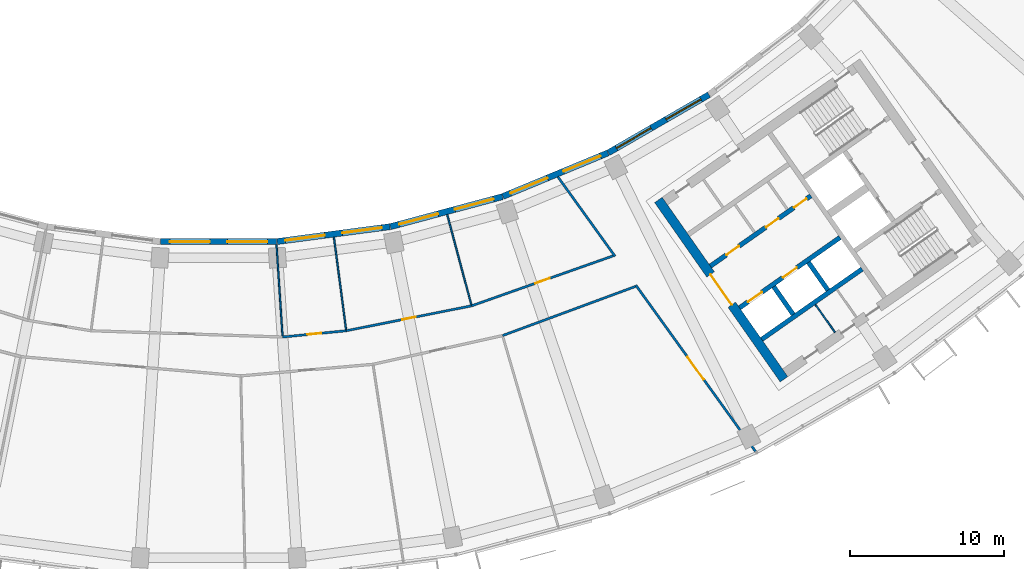
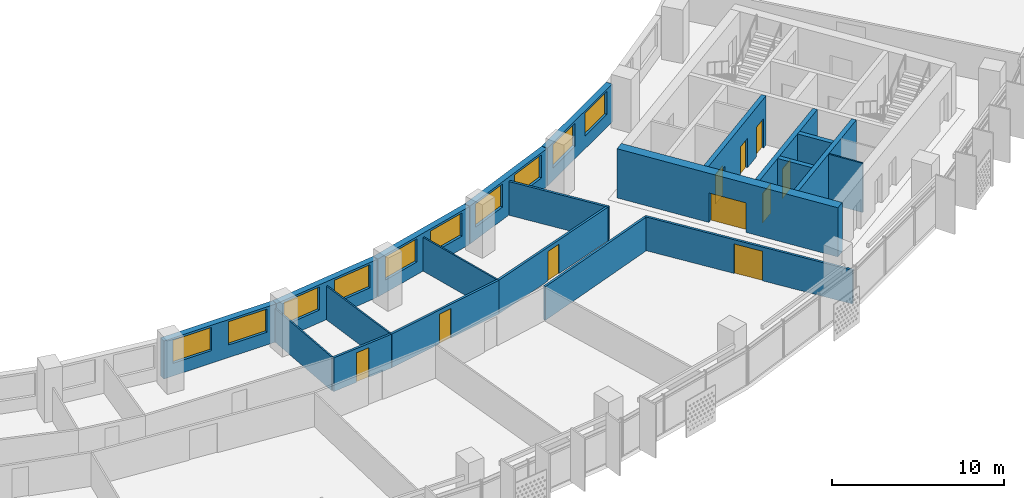
# One storey, part 6 of 27: 21 walls, 10 doors, 10 windows, 20 openings.
"""IFC4 building model written with IfcOpenShell, lengths in metres."""

from ifc_helpers import new_model, si_unit, direction, frame, frame_2d, origin, place, context, subcontext, project, spatial, rectangle, extrude, material, layer, layer_set, type_object, element, fill, save


model = new_model("IFC4")

# Units and contexts
model_context = context("Model", 3, precision=1e-05, world=origin(), true_north=direction((0.0, 1.0)))
body_context = subcontext(model_context, "Body", "Model", "MODEL_VIEW")
ifc_project = project(units=[si_unit("LENGTHUNIT", "METRE"), si_unit("AREAUNIT", "SQUARE_METRE"), si_unit("VOLUMEUNIT", "CUBIC_METRE"), si_unit("PLANEANGLEUNIT", "RADIAN"), si_unit("MASSUNIT", "GRAM", prefix="KILO")], contexts=[model_context])

# Site, building, storey
site_placement = place(None, origin())
site = spatial("IfcSite", under=ifc_project, at=site_placement, CompositionType="ELEMENT")
building_placement = place(site_placement, origin())
building = spatial("IfcBuilding", under=site, at=building_placement, Name="Qamariyya Broadcast Tower", CompositionType="ELEMENT")
storey_placement = place(building_placement, frame((0.0, 0.0, 191.10009765625)))
storey = spatial("IfcBuildingStorey", under=building, at=storey_placement, Name="L45", CompositionType="ELEMENT", Elevation=191.10009765625)

# Wall, opening, door
ifc_material_1 = material(Name="Concrete C60/75", Category="concrete")
ifc_layer_1 = layer(ifc_material_1, 0.60009765625)
ifc_layer_set_1 = layer_set([ifc_layer_1], Name="Core wall 600 mm Concrete C60/75")
wall_type_1 = type_object("IfcWallType", Name="Core wall 600 mm Concrete C60/75", PredefinedType="SHEAR", material=ifc_layer_set_1)
wall_1_placement = place(storey_placement, frame((36.66748046875, -66.005126953125, 0.0), z_axis=(0.0, 0.0, 1.0), x_axis=(-0.573568499524, 0.819157601658, 0.0)))
wall_1 = element("IfcWall", 1, at=wall_1_placement, inside=storey, type_object=wall_type_1, Name="k-E-L45-WA", PredefinedType="SHEAR", context=body_context, shape_type="SweptSolid", body=[
    extrude(rectangle(XDim=14.19970703125, YDim=0.60009765625, at=frame_2d((7.099853515625, 0.0))), origin(), (0.0, 0.0, 1.0), 3.5),
])
opening_1_placement = place(wall_1_placement, frame((5.89990234375, 0.0, 0.0)))
opening_1 = element("IfcOpeningElement", 2, at=opening_1_placement, cuts=wall_1, Name="Opening KD3-E1", PredefinedType="OPENING", context=body_context, shape_type="SweptSolid", body=[
    extrude(rectangle(XDim=2.39990234375, YDim=2.10009765625, at=frame_2d((1.199951171875, 1.050048828125))), frame((0.0, 0.31005859375, 0.0), z_axis=(0.0, -1.0, 0.0), x_axis=(1.0, 0.0, 0.0)), (0.0, 0.0, 1.0), 0.6201171875),
])
ifc_material_2 = material(Name="Steel fire-resisting door leaf", Category="steel")
door_type_1 = type_object("IfcDoorType", Name="Lift lobby door KD3", OperationType="DOUBLE_DOOR_SINGLE_SWING", PredefinedType="DOOR", material=ifc_material_2)
door_1_placement = place(opening_1_placement, origin())
door_1 = element("IfcDoor", 3, at=door_1_placement, inside=storey, type_object=door_type_1, Name="k-E-L45-WA-D1", OperationType="DOUBLE_DOOR_SINGLE_SWING", OverallHeight=2.10009765625, OverallWidth=2.39990234375, PredefinedType="DOOR", context=body_context, shape_type="SweptSolid", body=[
    extrude(rectangle(XDim=2.39990234375, YDim=2.10009765625, at=frame_2d((1.199951171875, 1.050048828125))), frame((0.0, 0.02490234375, 0.0), z_axis=(0.0, -1.0, 0.0), x_axis=(1.0, 0.0, 0.0)), (0.0, 0.0, 1.0), 0.050048828125),
])
fill(opening_1, door_1)

ifc_material_3 = material(Name="Gypsum board partition")
ifc_layer_2 = layer(ifc_material_3, 0.14990234375)
ifc_layer_set_2 = layer_set([ifc_layer_2], Name="Corridor partition 150 EI 60")
wall_type_2 = type_object("IfcWallType", Name="Corridor partition 150 EI 60", PredefinedType="PARTITIONING", material=ifc_layer_set_2)
wall_2_placement = place(storey_placement, frame((4.146484375, -63.26416015625, 0.0), z_axis=(0.0, 0.0, 1.0), x_axis=(0.995188667069, 0.097977124567, 0.0)))
wall_2 = element("IfcWall", 4, at=wall_2_placement, inside=storey, type_object=wall_type_2, Name="Partition L45-017", PredefinedType="PARTITIONING", context=body_context, shape_type="SweptSolid", body=[
    extrude(rectangle(XDim=4.14892578125, YDim=0.14990234375, at=frame_2d((2.074462890625, 0.0))), origin(), (0.0, 0.0, 1.0), 2.39990234375),
])
opening_2_placement = place(wall_2_placement, frame((1.62451171875, 0.0, 0.0)))
opening_2 = element("IfcOpeningElement", 5, at=opening_2_placement, cuts=wall_2, Name="Opening L45-D10", PredefinedType="OPENING", context=body_context, shape_type="SweptSolid", body=[
    extrude(rectangle(XDim=0.89990234375, YDim=2.10009765625, at=frame_2d((0.449951171875, 1.050048828125))), frame((0.0, 0.0849609375, 0.0), z_axis=(0.0, -1.0, 0.0), x_axis=(1.0, 0.0, 0.0)), (0.0, 0.0, 1.0), 0.169921875),
])
ifc_material_4 = material(Name="Timber fire door leaf", Category="wood")
door_type_2 = type_object("IfcDoorType", Name="Fire door 900 x 2100 FD60", OperationType="NOTDEFINED", PredefinedType="DOOR", material=ifc_material_4)
door_2_placement = place(opening_2_placement, origin())
door_2 = element("IfcDoor", 6, at=door_2_placement, inside=storey, type_object=door_type_2, Name="Door L45-D10", OperationType="SINGLE_SWING_RIGHT", OverallHeight=2.10009765625, OverallWidth=0.89990234375, PredefinedType="DOOR", context=body_context, shape_type="SweptSolid", body=[
    extrude(rectangle(XDim=0.89990234375, YDim=2.10009765625, at=frame_2d((0.449951171875, 1.050048828125))), frame((0.0, 0.02490234375, 0.0), z_axis=(0.0, -1.0, 0.0), x_axis=(1.0, 0.0, 0.0)), (0.0, 0.0, 1.0), 0.050048828125),
])
fill(opening_2, door_2)

wall_3_placement = place(storey_placement, frame((8.275390625, -62.857666015625, 0.0), z_axis=(0.0, 0.0, 1.0), x_axis=(0.98078508005, 0.195091329256, 0.0)))
wall_3 = element("IfcWall", 7, at=wall_3_placement, inside=storey, type_object=wall_type_2, Name="Partition L45-019", PredefinedType="PARTITIONING", context=body_context, shape_type="SweptSolid", body=[
    extrude(rectangle(XDim=8.293212890625, YDim=0.14990234375, at=frame_2d((4.146484375, 0.0))), origin(), (0.0, 0.0, 1.0), 2.39990234375),
])
opening_3_placement = place(wall_3_placement, frame((3.696533203125, 0.0, 0.0)))
opening_3 = element("IfcOpeningElement", 8, at=opening_3_placement, cuts=wall_3, Name="Opening L45-D11", PredefinedType="OPENING", context=body_context, shape_type="SweptSolid", body=[
    extrude(rectangle(XDim=0.89990234375, YDim=2.10009765625, at=frame_2d((0.449951171875, 1.050048828125))), frame((0.0, 0.0849609375, 0.0), z_axis=(0.0, -1.0, 0.0), x_axis=(1.0, 0.0, 0.0)), (0.0, 0.0, 1.0), 0.169921875),
])
door_3_placement = place(opening_3_placement, origin())
door_3 = element("IfcDoor", 9, at=door_3_placement, inside=storey, type_object=door_type_2, Name="Door L45-D11", OperationType="SINGLE_SWING_RIGHT", OverallHeight=2.10009765625, OverallWidth=0.89990234375, PredefinedType="DOOR", context=body_context, shape_type="SweptSolid", body=[
    extrude(rectangle(XDim=0.89990234375, YDim=2.10009765625, at=frame_2d((0.449951171875, 1.050048828125))), frame((0.0, 0.02490234375, 0.0), z_axis=(0.0, -1.0, 0.0), x_axis=(1.0, 0.0, 0.0)), (0.0, 0.0, 1.0), 0.050048828125),
])
fill(opening_3, door_3)

wall_4_placement = place(storey_placement, frame((16.4091796875, -61.23974609375, 0.0), z_axis=(0.0, 0.0, 1.0), x_axis=(0.942977382292, 0.332856810785, 0.0)))
wall_4 = element("IfcWall", 10, at=wall_4_placement, inside=storey, type_object=wall_type_2, Name="Partition L45-023", PredefinedType="PARTITIONING", context=body_context, shape_type="SweptSolid", body=[
    extrude(rectangle(XDim=9.744873046875, YDim=0.14990234375, at=frame_2d((4.87255859375, 0.0))), origin(), (0.0, 0.0, 1.0), 2.39990234375),
])
opening_4_placement = place(wall_4_placement, frame((4.37255859375, 0.0, 0.0)))
opening_4 = element("IfcOpeningElement", 11, at=opening_4_placement, cuts=wall_4, Name="Opening L45-D12", PredefinedType="OPENING", context=body_context, shape_type="SweptSolid", body=[
    extrude(rectangle(XDim=1.0, YDim=2.10009765625, at=frame_2d((0.5, 1.050048828125))), frame((0.0, 0.0849609375, 0.0), z_axis=(0.0, -1.0, 0.0), x_axis=(1.0, 0.0, 0.0)), (0.0, 0.0, 1.0), 0.169921875),
])
door_type_3 = type_object("IfcDoorType", Name="Fire door 1000 x 2100 FD60", OperationType="NOTDEFINED", PredefinedType="DOOR", material=ifc_material_4)
door_4_placement = place(opening_4_placement, origin())
door_4 = element("IfcDoor", 12, at=door_4_placement, inside=storey, type_object=door_type_3, Name="Door L45-D12", OperationType="SINGLE_SWING_RIGHT", OverallHeight=2.10009765625, OverallWidth=1.0, PredefinedType="DOOR", context=body_context, shape_type="SweptSolid", body=[
    extrude(rectangle(XDim=1.0, YDim=2.10009765625, at=frame_2d((0.5, 1.050048828125))), frame((0.0, 0.02490234375, 0.0), z_axis=(0.0, -1.0, 0.0), x_axis=(1.0, 0.0, 0.0)), (0.0, 0.0, 1.0), 0.050048828125),
])
fill(opening_4, door_4)

# Walls
wall_5_placement = place(storey_placement, frame((18.41455078125, -63.170654296875, 0.0), z_axis=(0.0, 0.0, 1.0), x_axis=(0.93796819355, 0.346721311557, 0.0)))
element("IfcWall", 13, at=wall_5_placement, inside=storey, type_object=wall_type_2, Name="Partition L45-024", PredefinedType="PARTITIONING", context=body_context, shape_type="SweptSolid", body=[
    extrude(rectangle(XDim=9.185546875, YDim=0.14990234375, at=frame_2d((4.5927734375, 0.0))), origin(), (0.0, 0.0, 1.0), 2.39990234375),
])
wall_6_placement = place(storey_placement, frame((22.0, -52.873046875, 0.0), z_axis=(0.0, 0.0, 1.0), x_axis=(0.58417014289, -0.811631224236, 0.0)))
element("IfcWall", 14, at=wall_6_placement, inside=storey, type_object=wall_type_2, Name="Partition L45-025", PredefinedType="PARTITIONING", context=body_context, shape_type="SweptSolid", body=[
    extrude(rectangle(XDim=6.356201171875, YDim=0.14990234375, at=frame_2d((3.17822265625, 0.0))), origin(), (0.0, 0.0, 1.0), 2.39990234375),
])

# Wall, opening, door
wall_7_placement = place(storey_placement, frame((34.823974609375, -70.690673828125, 0.0), z_axis=(0.0, 0.0, 1.0), x_axis=(-0.584166374063, 0.81163393683, 0.0)))
wall_7 = element("IfcWall", 15, at=wall_7_placement, inside=storey, type_object=wall_type_2, Name="Partition L45-027", PredefinedType="PARTITIONING", context=body_context, shape_type="SweptSolid", body=[
    extrude(rectangle(XDim=13.296142578125, YDim=0.14990234375, at=frame_2d((6.64794921875, 0.0))), origin(), (0.0, 0.0, 1.0), 2.39990234375),
])
opening_5_placement = place(wall_7_placement, frame((5.748046875, 0.0, 0.0)))
opening_5 = element("IfcOpeningElement", 16, at=opening_5_placement, cuts=wall_7, Name="Opening L45-D06", PredefinedType="OPENING", context=body_context, shape_type="SweptSolid", body=[
    extrude(rectangle(XDim=1.800048828125, YDim=2.10009765625, at=frame_2d((0.89990234375, 1.050048828125))), frame((0.0, 0.0849609375, 0.0), z_axis=(0.0, -1.0, 0.0), x_axis=(1.0, 0.0, 0.0)), (0.0, 0.0, 1.0), 0.169921875),
])
door_type_4 = type_object("IfcDoorType", Name="Double fire door 1800 x 2100 FD60", OperationType="NOTDEFINED", PredefinedType="DOOR", material=ifc_material_4)
door_5_placement = place(opening_5_placement, origin())
door_5 = element("IfcDoor", 17, at=door_5_placement, inside=storey, type_object=door_type_4, Name="Door L45-D06", OperationType="DOUBLE_DOOR_SINGLE_SWING", OverallHeight=2.10009765625, OverallWidth=1.800048828125, PredefinedType="DOOR", context=body_context, shape_type="SweptSolid", body=[
    extrude(rectangle(XDim=1.800048828125, YDim=2.10009765625, at=frame_2d((0.89990234375, 1.050048828125))), frame((0.0, 0.02490234375, 0.0), z_axis=(0.0, -1.0, 0.0), x_axis=(1.0, 0.0, 0.0)), (0.0, 0.0, 1.0), 0.050048828125),
])
fill(opening_5, door_5)

# Wall, openings, doors
ifc_layer_3 = layer(ifc_material_1, 0.300048828125)
ifc_layer_set_3 = layer_set([ifc_layer_3], Name="Lift shaft wall 300 mm Concrete C60/75")
wall_type_3 = type_object("IfcWallType", Name="Lift shaft wall 300 mm Concrete C60/75", PredefinedType="SOLIDWALL", material=ifc_layer_set_3)
wall_8_placement = place(storey_placement, frame((31.89453125, -58.66552734375, 0.0), z_axis=(0.0, 0.0, 1.0), x_axis=(0.819166993208, 0.573555086491, 0.0)))
wall_8 = element("IfcWall", 18, at=wall_8_placement, inside=storey, type_object=wall_type_3, Name="k-E-L45-NF0", PredefinedType="SOLIDWALL", context=body_context, shape_type="SweptSolid", body=[
    extrude(rectangle(XDim=7.9501953125, YDim=0.300048828125, at=frame_2d((3.97509765625, 0.0))), origin(), (0.0, 0.0, 1.0), 3.5),
])
opening_6_placement = place(wall_8_placement, frame((1.262451171875, 0.0, 0.0)))
opening_6 = element("IfcOpeningElement", 19, at=opening_6_placement, cuts=wall_8, Name="Opening KD4-E1", PredefinedType="OPENING", context=body_context, shape_type="SweptSolid", body=[
    extrude(rectangle(XDim=1.0, YDim=2.10009765625, at=frame_2d((0.5, 1.050048828125))), frame((0.0, 0.159912109375, 0.0), z_axis=(0.0, -1.0, 0.0), x_axis=(1.0, 0.0, 0.0)), (0.0, 0.0, 1.0), 0.320068359375),
])
opening_7_placement = place(wall_8_placement, frame((4.39990234375, 0.0, 0.0)))
opening_7 = element("IfcOpeningElement", 20, at=opening_7_placement, cuts=wall_8, Name="Opening KD6-E1", PredefinedType="OPENING", context=body_context, shape_type="SweptSolid", body=[
    extrude(rectangle(XDim=1.0, YDim=2.10009765625, at=frame_2d((0.5, 1.050048828125))), frame((0.0, 0.159912109375, 0.0), z_axis=(0.0, -1.0, 0.0), x_axis=(1.0, 0.0, 0.0)), (0.0, 0.0, 1.0), 0.320068359375),
])
opening_8_placement = place(wall_8_placement, frame((6.612548828125, 0.0, 0.0)))
opening_8 = element("IfcOpeningElement", 21, at=opening_8_placement, cuts=wall_8, Name="Opening KD6-E2", PredefinedType="OPENING", context=body_context, shape_type="SweptSolid", body=[
    extrude(rectangle(XDim=1.0, YDim=2.10009765625, at=frame_2d((0.5, 1.050048828125))), frame((0.0, 0.159912109375, 0.0), z_axis=(0.0, -1.0, 0.0), x_axis=(1.0, 0.0, 0.0)), (0.0, 0.0, 1.0), 0.320068359375),
])
door_type_5 = type_object("IfcDoorType", Name="Core room door KD6", OperationType="SINGLE_SWING_LEFT", PredefinedType="DOOR", material=ifc_material_2)
door_6_placement = place(opening_7_placement, origin())
door_6 = element("IfcDoor", 22, at=door_6_placement, inside=storey, type_object=door_type_5, Name="k-E-L45-NF0-D3", OperationType="SINGLE_SWING_LEFT", OverallHeight=2.10009765625, OverallWidth=1.0, PredefinedType="DOOR", context=body_context, shape_type="SweptSolid", body=[
    extrude(rectangle(XDim=1.0, YDim=2.10009765625, at=frame_2d((0.5, 1.050048828125))), frame((0.0, 0.02490234375, 0.0), z_axis=(0.0, -1.0, 0.0), x_axis=(1.0, 0.0, 0.0)), (0.0, 0.0, 1.0), 0.050048828125),
])
fill(opening_7, door_6)
door_7_placement = place(opening_8_placement, origin())
door_7 = element("IfcDoor", 23, at=door_7_placement, inside=storey, type_object=door_type_5, Name="k-E-L45-NF0-D4", OperationType="SINGLE_SWING_RIGHT", OverallHeight=2.10009765625, OverallWidth=1.0, PredefinedType="DOOR", context=body_context, shape_type="SweptSolid", body=[
    extrude(rectangle(XDim=1.0, YDim=2.10009765625, at=frame_2d((0.5, 1.050048828125))), frame((0.0, 0.02490234375, 0.0), z_axis=(0.0, -1.0, 0.0), x_axis=(1.0, 0.0, 0.0)), (0.0, 0.0, 1.0), 0.050048828125),
])
fill(opening_8, door_7)
door_type_6 = type_object("IfcDoorType", Name="Riser and plant door KD4", OperationType="SINGLE_SWING_LEFT", PredefinedType="DOOR", material=ifc_material_2)
door_8_placement = place(opening_6_placement, origin())
door_8 = element("IfcDoor", 24, at=door_8_placement, inside=storey, type_object=door_type_6, Name="k-E-L45-NF0-D2", OperationType="SINGLE_SWING_RIGHT", OverallHeight=2.10009765625, OverallWidth=1.0, PredefinedType="DOOR", context=body_context, shape_type="SweptSolid", body=[
    extrude(rectangle(XDim=1.0, YDim=2.10009765625, at=frame_2d((0.5, 1.050048828125))), frame((0.0, 0.02490234375, 0.0), z_axis=(0.0, -1.0, 0.0), x_axis=(1.0, 0.0, 0.0)), (0.0, 0.0, 1.0), 0.050048828125),
])
fill(opening_6, door_8)

wall_9_placement = place(storey_placement, frame((33.787353515625, -61.368896484375, 0.0), z_axis=(0.0, 0.0, 1.0), x_axis=(0.819152564888, 0.573575692858, 0.0)))
wall_9 = element("IfcWall", 25, at=wall_9_placement, inside=storey, type_object=wall_type_3, Name="k-E-L45-SF0", PredefinedType="SOLIDWALL", context=body_context, shape_type="SweptSolid", body=[
    extrude(rectangle(XDim=7.9501953125, YDim=0.300048828125, at=frame_2d((3.97509765625, 0.0))), origin(), (0.0, 0.0, 1.0), 3.5),
])
opening_9_placement = place(wall_9_placement, frame((0.675048828125, 0.0, 0.0)))
opening_9 = element("IfcOpeningElement", 26, at=opening_9_placement, cuts=wall_9, Name="Opening LD", PredefinedType="OPENING", context=body_context, shape_type="SweptSolid", body=[
    extrude(rectangle(XDim=1.10009765625, YDim=2.10009765625, at=frame_2d((0.550048828125, 1.050048828125))), frame((0.0, 0.159912109375, 0.0), z_axis=(0.0, -1.0, 0.0), x_axis=(1.0, 0.0, 0.0)), (0.0, 0.0, 1.0), 0.320068359375),
])
opening_10_placement = place(wall_9_placement, frame((3.425048828125, 0.0, 0.0)))
opening_10 = element("IfcOpeningElement", 27, at=opening_10_placement, cuts=wall_9, Name="Opening LD", PredefinedType="OPENING", context=body_context, shape_type="SweptSolid", body=[
    extrude(rectangle(XDim=1.10009765625, YDim=2.10009765625, at=frame_2d((0.550048828125, 1.050048828125))), frame((0.0, 0.159912109375, 0.0), z_axis=(0.0, -1.0, 0.0), x_axis=(1.0, 0.0, 0.0)), (0.0, 0.0, 1.0), 0.320068359375),
])
door_type_7 = type_object("IfcDoorType", Name="Lift landing door LD", OperationType="DOUBLE_DOOR_SLIDING", PredefinedType="DOOR", material=ifc_material_2)
door_9_placement = place(opening_9_placement, origin())
door_9 = element("IfcDoor", 28, at=door_9_placement, inside=storey, type_object=door_type_7, Name="k-E-L45-SF0-D5", OperationType="DOUBLE_DOOR_SLIDING", OverallHeight=2.10009765625, OverallWidth=1.10009765625, PredefinedType="DOOR", context=body_context, shape_type="SweptSolid", body=[
    extrude(rectangle(XDim=1.10009765625, YDim=2.10009765625, at=frame_2d((0.550048828125, 1.050048828125))), frame((0.0, 0.02490234375, 0.0), z_axis=(0.0, -1.0, 0.0), x_axis=(1.0, 0.0, 0.0)), (0.0, 0.0, 1.0), 0.050048828125),
])
fill(opening_9, door_9)
door_10_placement = place(opening_10_placement, origin())
door_10 = element("IfcDoor", 29, at=door_10_placement, inside=storey, type_object=door_type_7, Name="k-E-L45-SF0-D6", OperationType="DOUBLE_DOOR_SLIDING", OverallHeight=2.10009765625, OverallWidth=1.10009765625, PredefinedType="DOOR", context=body_context, shape_type="SweptSolid", body=[
    extrude(rectangle(XDim=1.10009765625, YDim=2.10009765625, at=frame_2d((0.550048828125, 1.050048828125))), frame((0.0, 0.02490234375, 0.0), z_axis=(0.0, -1.0, 0.0), x_axis=(1.0, 0.0, 0.0)), (0.0, 0.0, 1.0), 0.050048828125),
])
fill(opening_10, door_10)

# Walls
wall_10_placement = place(storey_placement, frame((35.22119140625, -63.41650390625, 0.0), z_axis=(0.0, 0.0, 1.0), x_axis=(0.819166993208, 0.573555086491, 0.0)))
element("IfcWall", 30, at=wall_10_placement, inside=storey, type_object=wall_type_3, Name="k-E-L45-SB0", PredefinedType="SOLIDWALL", context=body_context, shape_type="SweptSolid", body=[
    extrude(rectangle(XDim=7.9501953125, YDim=0.300048828125, at=frame_2d((3.97509765625, 0.0))), origin(), (0.0, 0.0, 1.0), 3.5),
])
wall_11_placement = place(storey_placement, frame((36.003173828125, -60.000244140625, 0.0), z_axis=(0.0, 0.0, 1.0), x_axis=(0.573581496053, -0.819148501424, 0.0)))
element("IfcWall", 31, at=wall_11_placement, inside=storey, type_object=wall_type_3, Name="k-E-L45-SD0", PredefinedType="SOLIDWALL", context=body_context, shape_type="SweptSolid", body=[
    extrude(rectangle(XDim=2.2001953125, YDim=0.300048828125, at=frame_2d((1.10009765625, 0.0))), origin(), (0.0, 0.0, 1.0), 3.5),
])
wall_12_placement = place(storey_placement, frame((38.255859375, -58.423095703125, 0.0), z_axis=(0.0, 0.0, 1.0), x_axis=(0.573633636671, -0.819111989218, 0.0)))
element("IfcWall", 32, at=wall_12_placement, inside=storey, type_object=wall_type_3, Name="k-E-L45-SD1", PredefinedType="SOLIDWALL", context=body_context, shape_type="SweptSolid", body=[
    extrude(rectangle(XDim=2.199951171875, YDim=0.300048828125, at=frame_2d((1.10009765625, 0.0))), origin(), (0.0, 0.0, 1.0), 3.5),
])
ifc_layer_4 = layer(ifc_material_3, 0.10009765625)
ifc_layer_set_4 = layer_set([ifc_layer_4], Name="Partition 100")
wall_type_4 = type_object("IfcWallType", Name="Partition 100", PredefinedType="PARTITIONING", material=ifc_layer_set_4)
wall_13_placement = place(storey_placement, frame((3.754150390625, -57.277099609375, 0.0), z_axis=(0.0, 0.0, 1.0), x_axis=(0.065392214001, -0.997859638601, 0.0)))
element("IfcWall", 33, at=wall_13_placement, inside=storey, type_object=wall_type_4, Name="Partition L45-016", PredefinedType="PARTITIONING", context=body_context, shape_type="SweptSolid", body=[
    extrude(rectangle(XDim=5.925048828125, YDim=0.10009765625, at=frame_2d((2.96240234375, 0.0))), origin(), (0.0, 0.0, 1.0), 2.39990234375),
])
for number, where, z_axis, x_axis, name in (
    (34, (7.476318359375, -56.787841796875, 0.0), (0.0, 0.0, 1.0), (0.130526573864, -0.991444811129, 0.0), "Partition L45-018"),
    (35, (14.82470703125, -55.326171875, 0.0), (0.0, 0.0, 1.0), (0.258793263352, -0.965932734119, 0.0), "Partition L45-022"),
):
    element("IfcWall", number, at=place(storey_placement, frame(where, z_axis=z_axis, x_axis=x_axis)), inside=storey, type_object=wall_type_4, Name=name, PredefinedType="PARTITIONING", context=body_context, shape_type="SweptSolid", body=[
        extrude(rectangle(XDim=6.047119140625, YDim=0.10009765625, at=frame_2d((3.0234375, 0.0))), origin(), (0.0, 0.0, 1.0), 2.39990234375),
    ])
ifc_material_5 = material(Name="Fire-rated gypsum shaft liner on steel studs", Category="steel")
ifc_layer_5 = layer(ifc_material_5, 0.10009765625)
ifc_layer_set_5 = layer_set([ifc_layer_5], Name="Riser wall 100 mm")
wall_type_5 = type_object("IfcWallType", Name="Riser wall 100 mm", PredefinedType="PLUMBINGWALL", material=ifc_layer_set_5)
wall_14_placement = place(storey_placement, frame((38.706787109375, -61.1591796875, 0.0), z_axis=(0.0, 0.0, 1.0), x_axis=(0.573633636671, -0.819111989218, 0.0)))
element("IfcWall", 36, at=wall_14_placement, inside=storey, type_object=wall_type_5, Name="k-E-L45-SP415", PredefinedType="PLUMBINGWALL", context=body_context, shape_type="SweptSolid", body=[
    extrude(rectangle(XDim=2.199951171875, YDim=0.10009765625, at=frame_2d((1.10009765625, 0.0))), origin(), (0.0, 0.0, 1.0), 3.5),
])

# Wall, openings, windows
ifc_material_6 = material(Name="Terracotta", Category="masonry")
ifc_layer_6 = layer(ifc_material_6, 0.39990234375)
ifc_layer_set_6 = layer_set([ifc_layer_6], Name="Terracotta clad wall 400")
wall_type_6 = type_object("IfcWallType", Name="Terracotta clad wall 400", PredefinedType="SOLIDWALL", material=ifc_layer_set_6)
wall_15_placement = place(storey_placement, frame((25.252197265625, -51.32080078125, 0.0), z_axis=(0.0, 0.0, 1.0), x_axis=(-0.923867659443, -0.382712095229, 0.0)))
wall_15 = element("IfcWall", 37, at=wall_15_placement, inside=storey, type_object=wall_type_6, Name="e-wl-L45-in100", PredefinedType="SOLIDWALL", context=body_context, shape_type="SweptSolid", body=[
    extrude(rectangle(XDim=7.380859375, YDim=0.39990234375, at=frame_2d((3.6904296875, 0.0))), origin(), (0.0, 0.0, 1.0), 2.699951171875),
])
opening_11_placement = place(wall_15_placement, frame((4.25439453125, 0.0, 0.89990234375)))
opening_11 = element("IfcOpeningElement", 38, at=opening_11_placement, cuts=wall_15, Name="Opening W1", PredefinedType="OPENING", context=body_context, shape_type="SweptSolid", body=[
    extrude(rectangle(XDim=2.60009765625, YDim=1.64990234375, at=frame_2d((1.300048828125, 0.824951171875))), frame((0.0, 0.2099609375, 0.0), z_axis=(0.0, -1.0, 0.0), x_axis=(1.0, 0.0, 0.0)), (0.0, 0.0, 1.0), 0.419921875),
])
opening_12_placement = place(wall_15_placement, frame((0.5263671875, 0.0, 0.89990234375)))
opening_12 = element("IfcOpeningElement", 39, at=opening_12_placement, cuts=wall_15, Name="Opening W1", PredefinedType="OPENING", context=body_context, shape_type="SweptSolid", body=[
    extrude(rectangle(XDim=2.60009765625, YDim=1.64990234375, at=frame_2d((1.300048828125, 0.824951171875))), frame((0.0, 0.2099609375, 0.0), z_axis=(0.0, -1.0, 0.0), x_axis=(1.0, 0.0, 0.0)), (0.0, 0.0, 1.0), 0.419921875),
])
ifc_material_7 = material(Name="Clear low-e double glazed unit in aluminium frame", Category="aluminium")
window_type = type_object("IfcWindowType", Name="Ribbon window 2600 x 1650", PartitioningType="SINGLE_PANEL", PredefinedType="WINDOW", material=ifc_material_7)
window_1_placement = place(opening_11_placement, origin())
window_1 = element("IfcWindow", 40, at=window_1_placement, inside=storey, type_object=window_type, Name="e-w-L45-in10-0", OverallHeight=1.64990234375, OverallWidth=2.60009765625, PartitioningType="SINGLE_PANEL", PredefinedType="WINDOW", context=body_context, shape_type="SweptSolid", body=[
    extrude(rectangle(XDim=2.60009765625, YDim=1.64990234375, at=frame_2d((1.300048828125, 0.824951171875))), frame((0.0, 0.030029296875, 0.0), z_axis=(0.0, -1.0, 0.0), x_axis=(1.0, 0.0, 0.0)), (0.0, 0.0, 1.0), 0.06005859375),
])
fill(opening_11, window_1)
window_2_placement = place(opening_12_placement, origin())
window_2 = element("IfcWindow", 41, at=window_2_placement, inside=storey, type_object=window_type, Name="e-w-L45-in10-1", OverallHeight=1.64990234375, OverallWidth=2.60009765625, PartitioningType="SINGLE_PANEL", PredefinedType="WINDOW", context=body_context, shape_type="SweptSolid", body=[
    extrude(rectangle(XDim=2.60009765625, YDim=1.64990234375, at=frame_2d((1.300048828125, 0.824951171875))), frame((0.0, 0.030029296875, 0.0), z_axis=(0.0, -1.0, 0.0), x_axis=(1.0, 0.0, 0.0)), (0.0, 0.0, 1.0), 0.06005859375),
])
fill(opening_12, window_2)

wall_16_placement = place(storey_placement, frame((31.800537109375, -47.5478515625, 0.0), z_axis=(0.0, 0.0, 1.0), x_axis=(-0.866028517328, -0.499994607145, 0.0)))
wall_16 = element("IfcWall", 42, at=wall_16_placement, inside=storey, type_object=wall_type_6, Name="e-wl-L45-in110", PredefinedType="SOLIDWALL", context=body_context, shape_type="SweptSolid", body=[
    extrude(rectangle(XDim=7.5322265625, YDim=0.39990234375, at=frame_2d((3.76611328125, 0.0))), origin(), (0.0, 0.0, 1.0), 2.699951171875),
])
opening_13_placement = place(wall_16_placement, frame((4.330078125, 0.0, 0.89990234375)))
opening_13 = element("IfcOpeningElement", 43, at=opening_13_placement, cuts=wall_16, Name="Opening W1", PredefinedType="OPENING", context=body_context, shape_type="SweptSolid", body=[
    extrude(rectangle(XDim=2.60009765625, YDim=1.64990234375, at=frame_2d((1.300048828125, 0.824951171875))), frame((0.0, 0.2099609375, 0.0), z_axis=(0.0, -1.0, 0.0), x_axis=(1.0, 0.0, 0.0)), (0.0, 0.0, 1.0), 0.419921875),
])
opening_14_placement = place(wall_16_placement, frame((0.60205078125, 0.0, 0.89990234375)))
opening_14 = element("IfcOpeningElement", 44, at=opening_14_placement, cuts=wall_16, Name="Opening W1", PredefinedType="OPENING", context=body_context, shape_type="SweptSolid", body=[
    extrude(rectangle(XDim=2.60009765625, YDim=1.64990234375, at=frame_2d((1.300048828125, 0.824951171875))), frame((0.0, 0.2099609375, 0.0), z_axis=(0.0, -1.0, 0.0), x_axis=(1.0, 0.0, 0.0)), (0.0, 0.0, 1.0), 0.419921875),
])
window_3_placement = place(opening_13_placement, origin())
window_3 = element("IfcWindow", 45, at=window_3_placement, inside=storey, type_object=window_type, Name="e-w-L45-in11-0", OverallHeight=1.64990234375, OverallWidth=2.60009765625, PartitioningType="SINGLE_PANEL", PredefinedType="WINDOW", context=body_context, shape_type="SweptSolid", body=[
    extrude(rectangle(XDim=2.60009765625, YDim=1.64990234375, at=frame_2d((1.300048828125, 0.824951171875))), frame((0.0, 0.030029296875, 0.0), z_axis=(0.0, -1.0, 0.0), x_axis=(1.0, 0.0, 0.0)), (0.0, 0.0, 1.0), 0.06005859375),
])
fill(opening_13, window_3)
window_4_placement = place(opening_14_placement, origin())
window_4 = element("IfcWindow", 46, at=window_4_placement, inside=storey, type_object=window_type, Name="e-w-L45-in11-1", OverallHeight=1.64990234375, OverallWidth=2.60009765625, PartitioningType="SINGLE_PANEL", PredefinedType="WINDOW", context=body_context, shape_type="SweptSolid", body=[
    extrude(rectangle(XDim=2.60009765625, YDim=1.64990234375, at=frame_2d((1.300048828125, 0.824951171875))), frame((0.0, 0.030029296875, 0.0), z_axis=(0.0, -1.0, 0.0), x_axis=(1.0, 0.0, 0.0)), (0.0, 0.0, 1.0), 0.06005859375),
])
fill(opening_14, window_4)

wall_17_placement = place(storey_placement, frame((3.76611328125, -57.077880859375, 0.0), z_axis=(0.0, 0.0, 1.0), x_axis=(-1.0, 0.0, 0.0)))
wall_17 = element("IfcWall", 47, at=wall_17_placement, inside=storey, type_object=wall_type_6, Name="e-wl-L45-in70", PredefinedType="SOLIDWALL", context=body_context, shape_type="SweptSolid", body=[
    extrude(rectangle(XDim=7.5322265625, YDim=0.39990234375, at=frame_2d((3.76611328125, 0.0))), origin(), (0.0, 0.0, 1.0), 2.699951171875),
])
opening_15_placement = place(wall_17_placement, frame((4.330078125, 0.0, 0.89990234375)))
opening_15 = element("IfcOpeningElement", 48, at=opening_15_placement, cuts=wall_17, Name="Opening W1", PredefinedType="OPENING", context=body_context, shape_type="SweptSolid", body=[
    extrude(rectangle(XDim=2.60009765625, YDim=1.64990234375, at=frame_2d((1.300048828125, 0.824951171875))), frame((0.0, 0.2099609375, 0.0), z_axis=(0.0, -1.0, 0.0), x_axis=(1.0, 0.0, 0.0)), (0.0, 0.0, 1.0), 0.419921875),
])
opening_16_placement = place(wall_17_placement, frame((0.60205078125, 0.0, 0.89990234375)))
opening_16 = element("IfcOpeningElement", 49, at=opening_16_placement, cuts=wall_17, Name="Opening W1", PredefinedType="OPENING", context=body_context, shape_type="SweptSolid", body=[
    extrude(rectangle(XDim=2.60009765625, YDim=1.64990234375, at=frame_2d((1.300048828125, 0.824951171875))), frame((0.0, 0.2099609375, 0.0), z_axis=(0.0, -1.0, 0.0), x_axis=(1.0, 0.0, 0.0)), (0.0, 0.0, 1.0), 0.419921875),
])
window_5_placement = place(opening_15_placement, origin())
window_5 = element("IfcWindow", 50, at=window_5_placement, inside=storey, type_object=window_type, Name="e-w-L45-in07-0", OverallHeight=1.64990234375, OverallWidth=2.60009765625, PartitioningType="SINGLE_PANEL", PredefinedType="WINDOW", context=body_context, shape_type="SweptSolid", body=[
    extrude(rectangle(XDim=2.60009765625, YDim=1.64990234375, at=frame_2d((1.300048828125, 0.824951171875))), frame((0.0, 0.030029296875, 0.0), z_axis=(0.0, -1.0, 0.0), x_axis=(1.0, 0.0, 0.0)), (0.0, 0.0, 1.0), 0.06005859375),
])
fill(opening_15, window_5)
window_6_placement = place(opening_16_placement, origin())
window_6 = element("IfcWindow", 51, at=window_6_placement, inside=storey, type_object=window_type, Name="e-w-L45-in07-1", OverallHeight=1.64990234375, OverallWidth=2.60009765625, PartitioningType="SINGLE_PANEL", PredefinedType="WINDOW", context=body_context, shape_type="SweptSolid", body=[
    extrude(rectangle(XDim=2.60009765625, YDim=1.64990234375, at=frame_2d((1.300048828125, 0.824951171875))), frame((0.0, 0.030029296875, 0.0), z_axis=(0.0, -1.0, 0.0), x_axis=(1.0, 0.0, 0.0)), (0.0, 0.0, 1.0), 0.06005859375),
])
fill(opening_16, window_6)

wall_18_placement = place(storey_placement, frame((11.10888671875, -56.10791015625, 0.0), z_axis=(0.0, 0.0, 1.0), x_axis=(-0.99144438474, -0.130529812564, 0.0)))
wall_18 = element("IfcWall", 52, at=wall_18_placement, inside=storey, type_object=wall_type_6, Name="e-wl-L45-in80", PredefinedType="SOLIDWALL", context=body_context, shape_type="SweptSolid", body=[
    extrude(rectangle(XDim=7.380615234375, YDim=0.39990234375, at=frame_2d((3.6904296875, 0.0))), origin(), (0.0, 0.0, 1.0), 2.699951171875),
])
opening_17_placement = place(wall_18_placement, frame((4.25439453125, 0.0, 0.89990234375)))
opening_17 = element("IfcOpeningElement", 53, at=opening_17_placement, cuts=wall_18, Name="Opening W1", PredefinedType="OPENING", context=body_context, shape_type="SweptSolid", body=[
    extrude(rectangle(XDim=2.60009765625, YDim=1.64990234375, at=frame_2d((1.300048828125, 0.824951171875))), frame((0.0, 0.2099609375, 0.0), z_axis=(0.0, -1.0, 0.0), x_axis=(1.0, 0.0, 0.0)), (0.0, 0.0, 1.0), 0.419921875),
])
opening_18_placement = place(wall_18_placement, frame((0.5263671875, 0.0, 0.89990234375)))
opening_18 = element("IfcOpeningElement", 54, at=opening_18_placement, cuts=wall_18, Name="Opening W1", PredefinedType="OPENING", context=body_context, shape_type="SweptSolid", body=[
    extrude(rectangle(XDim=2.60009765625, YDim=1.64990234375, at=frame_2d((1.300048828125, 0.824951171875))), frame((0.0, 0.2099609375, 0.0), z_axis=(0.0, -1.0, 0.0), x_axis=(1.0, 0.0, 0.0)), (0.0, 0.0, 1.0), 0.419921875),
])
window_7_placement = place(opening_17_placement, origin())
window_7 = element("IfcWindow", 55, at=window_7_placement, inside=storey, type_object=window_type, Name="e-w-L45-in08-0", OverallHeight=1.64990234375, OverallWidth=2.60009765625, PartitioningType="SINGLE_PANEL", PredefinedType="WINDOW", context=body_context, shape_type="SweptSolid", body=[
    extrude(rectangle(XDim=2.60009765625, YDim=1.64990234375, at=frame_2d((1.300048828125, 0.824951171875))), frame((0.0, 0.030029296875, 0.0), z_axis=(0.0, -1.0, 0.0), x_axis=(1.0, 0.0, 0.0)), (0.0, 0.0, 1.0), 0.06005859375),
])
fill(opening_17, window_7)
window_8_placement = place(opening_18_placement, origin())
window_8 = element("IfcWindow", 56, at=window_8_placement, inside=storey, type_object=window_type, Name="e-w-L45-in08-1", OverallHeight=1.64990234375, OverallWidth=2.60009765625, PartitioningType="SINGLE_PANEL", PredefinedType="WINDOW", context=body_context, shape_type="SweptSolid", body=[
    extrude(rectangle(XDim=2.60009765625, YDim=1.64990234375, at=frame_2d((1.300048828125, 0.824951171875))), frame((0.0, 0.030029296875, 0.0), z_axis=(0.0, -1.0, 0.0), x_axis=(1.0, 0.0, 0.0)), (0.0, 0.0, 1.0), 0.06005859375),
])
fill(opening_18, window_8)

wall_19_placement = place(storey_placement, frame((18.41064453125, -54.158447265625, 0.0), z_axis=(0.0, 0.0, 1.0), x_axis=(-0.965927073219, -0.258814391452, 0.0)))
wall_19 = element("IfcWall", 57, at=wall_19_placement, inside=storey, type_object=wall_type_6, Name="e-wl-L45-in90", PredefinedType="SOLIDWALL", context=body_context, shape_type="SweptSolid", body=[
    extrude(rectangle(XDim=7.5322265625, YDim=0.39990234375, at=frame_2d((3.76611328125, 0.0))), origin(), (0.0, 0.0, 1.0), 2.699951171875),
])
opening_19_placement = place(wall_19_placement, frame((4.330078125, 0.0, 0.89990234375)))
opening_19 = element("IfcOpeningElement", 58, at=opening_19_placement, cuts=wall_19, Name="Opening W1", PredefinedType="OPENING", context=body_context, shape_type="SweptSolid", body=[
    extrude(rectangle(XDim=2.60009765625, YDim=1.64990234375, at=frame_2d((1.300048828125, 0.824951171875))), frame((0.0, 0.2099609375, 0.0), z_axis=(0.0, -1.0, 0.0), x_axis=(1.0, 0.0, 0.0)), (0.0, 0.0, 1.0), 0.419921875),
])
opening_20_placement = place(wall_19_placement, frame((0.60205078125, 0.0, 0.89990234375)))
opening_20 = element("IfcOpeningElement", 59, at=opening_20_placement, cuts=wall_19, Name="Opening W1", PredefinedType="OPENING", context=body_context, shape_type="SweptSolid", body=[
    extrude(rectangle(XDim=2.60009765625, YDim=1.64990234375, at=frame_2d((1.300048828125, 0.824951171875))), frame((0.0, 0.2099609375, 0.0), z_axis=(0.0, -1.0, 0.0), x_axis=(1.0, 0.0, 0.0)), (0.0, 0.0, 1.0), 0.419921875),
])
window_9_placement = place(opening_19_placement, origin())
window_9 = element("IfcWindow", 60, at=window_9_placement, inside=storey, type_object=window_type, Name="e-w-L45-in09-0", OverallHeight=1.64990234375, OverallWidth=2.60009765625, PartitioningType="SINGLE_PANEL", PredefinedType="WINDOW", context=body_context, shape_type="SweptSolid", body=[
    extrude(rectangle(XDim=2.60009765625, YDim=1.64990234375, at=frame_2d((1.300048828125, 0.824951171875))), frame((0.0, 0.030029296875, 0.0), z_axis=(0.0, -1.0, 0.0), x_axis=(1.0, 0.0, 0.0)), (0.0, 0.0, 1.0), 0.06005859375),
])
fill(opening_19, window_9)
window_10_placement = place(opening_20_placement, origin())
window_10 = element("IfcWindow", 61, at=window_10_placement, inside=storey, type_object=window_type, Name="e-w-L45-in09-1", OverallHeight=1.64990234375, OverallWidth=2.60009765625, PartitioningType="SINGLE_PANEL", PredefinedType="WINDOW", context=body_context, shape_type="SweptSolid", body=[
    extrude(rectangle(XDim=2.60009765625, YDim=1.64990234375, at=frame_2d((1.300048828125, 0.824951171875))), frame((0.0, 0.030029296875, 0.0), z_axis=(0.0, -1.0, 0.0), x_axis=(1.0, 0.0, 0.0)), (0.0, 0.0, 1.0), 0.06005859375),
])
fill(opening_20, window_10)

save(model, "model.ifc")
